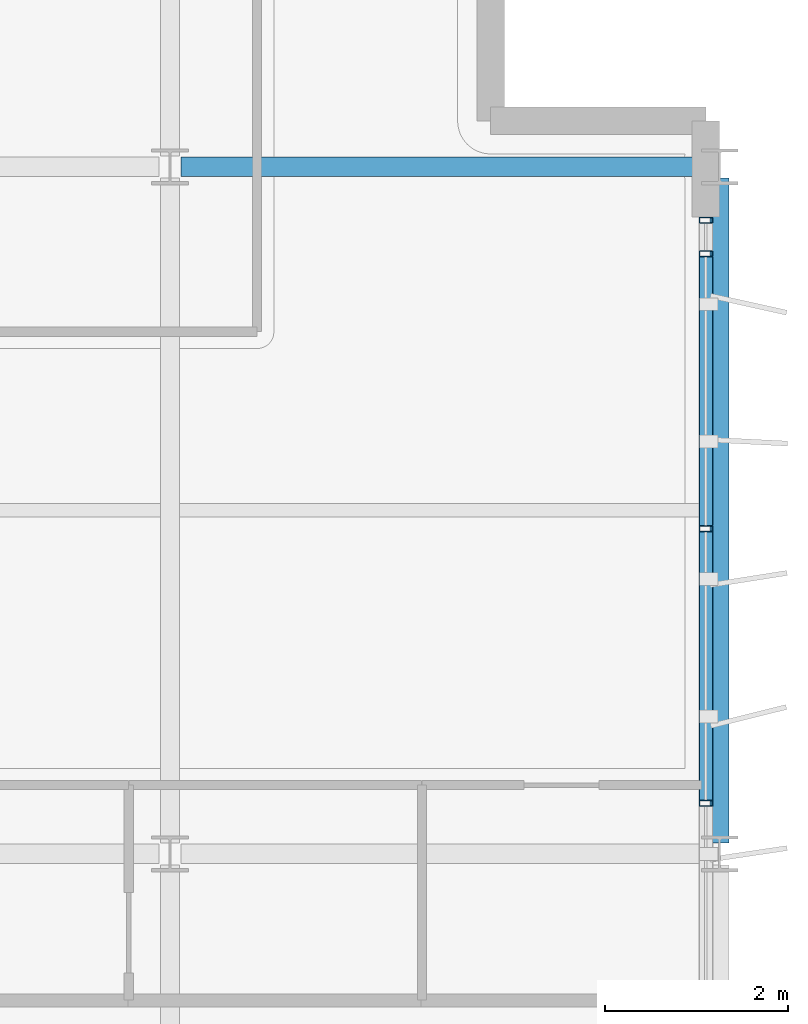
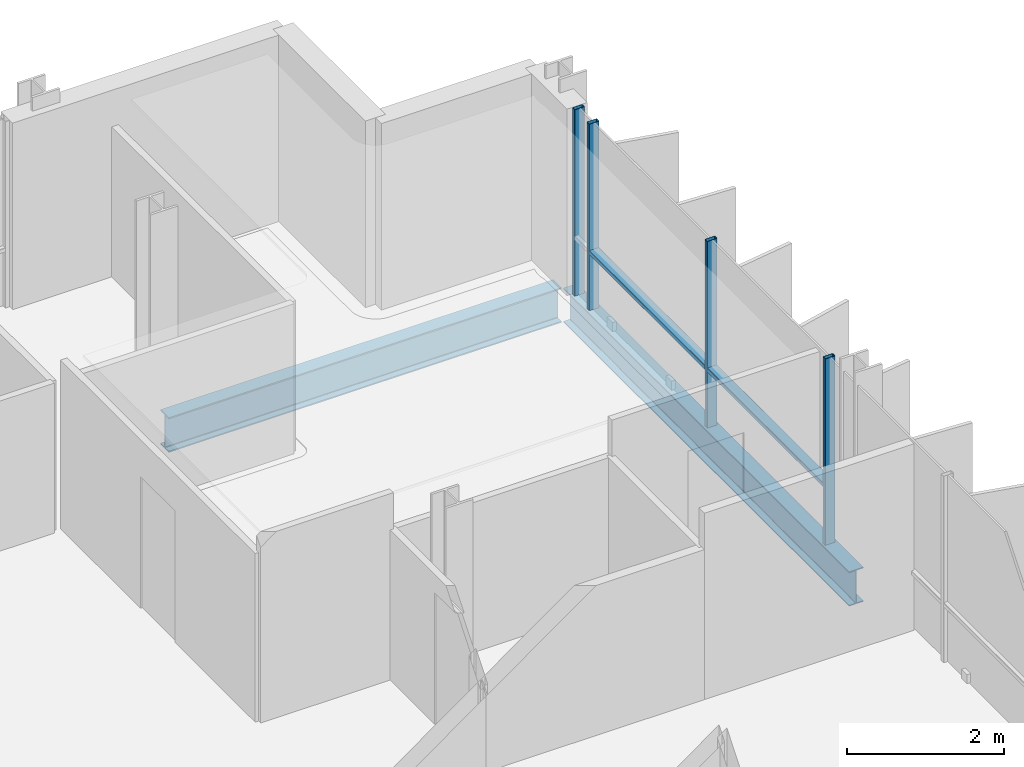
# One storey, part 22 of 38: 6 members, 2 beams, 1 element without a shape of its own.
"""IFC4 building model written with IfcOpenShell, lengths in metres."""

from ifc_helpers import new_model, si_unit, direction, frame, origin, origin_2d, place, context, subcontext, project, spatial, hollow_rectangle, i_section, extrude, material, layer, layer_set, material_profile, profile_set, type_object, element, aggregate, save


model = new_model("IFC4")

# Units and contexts
model_context = context("Model", 3, precision=1e-05, world=origin(), true_north=direction((0.0, 1.0)))
body_context = subcontext(model_context, "Body", "Model", "MODEL_VIEW")
ifc_project = project(units=[si_unit("LENGTHUNIT", "METRE"), si_unit("AREAUNIT", "SQUARE_METRE"), si_unit("VOLUMEUNIT", "CUBIC_METRE"), si_unit("PLANEANGLEUNIT", "RADIAN"), si_unit("MASSUNIT", "GRAM", prefix="KILO")], contexts=[model_context])

# Site, building, storey
site_placement = place(None, origin())
site = spatial("IfcSite", under=ifc_project, at=site_placement, CompositionType="ELEMENT")
building_placement = place(site_placement, origin())
building = spatial("IfcBuilding", under=site, at=building_placement, Name="Brevholm Reach", CompositionType="ELEMENT")
storey_placement = place(building_placement, frame((0.0, 0.0, 186.300048828125)))
storey = spatial("IfcBuildingStorey", under=building, at=storey_placement, Name="L56", CompositionType="ELEMENT", Elevation=186.300048828125)

# Beams
ifc_material_1 = material(Name="Structural Steel S355J2", Category="steel")
ifc_material_profile_1 = material_profile(ifc_material_1, i_section(OverallWidth=0.209228515625, OverallDepth=0.533203125, WebThickness=0.010009765625, FlangeThickness=0.015625, FilletRadius=0.0126953125, at=origin_2d()), Name="UKB 533x210x92")
ifc_profile_set_1 = profile_set([ifc_material_profile_1], Name="Structural Steel S355J2")
beam_type_1 = type_object("IfcBeamType", Name="BM-SP533", PredefinedType="SPANDREL", material=ifc_profile_set_1)
beam_1_placement = place(storey_placement, frame((60.0, 16.1201171875, -0.4765625), z_axis=(0.0, 1.0, 0.0), x_axis=(-1.0, 0.0, 0.0)))
element("IfcBeam", 1, at=beam_1_placement, inside=storey, type_object=beam_type_1, Name="L56 SP-02 Framing Beam", PredefinedType="SPANDREL", context=body_context, shape_type="SweptSolid", body=[
    extrude(i_section(OverallWidth=0.209228515625, OverallDepth=0.533203125, WebThickness=0.010009765625, FlangeThickness=0.015625, FilletRadius=0.0126953125, at=origin_2d()), origin(), (0.0, 0.0, 1.0), 7.259765625),
])
ifc_material_2 = material(Name="Structural Steel S355J2", Category="steel")
ifc_material_profile_2 = material_profile(ifc_material_2, i_section(OverallWidth=0.210693359375, OverallDepth=0.53955078125, WebThickness=0.01171875, FlangeThickness=0.018798828125, FilletRadius=0.0126953125, at=origin_2d()), Name="UKB 533x210x109")
ifc_profile_set_2 = profile_set([ifc_material_profile_2], Name="Structural Steel S355J2")
beam_type_2 = type_object("IfcBeamType", Name="BM-SP539", PredefinedType="SPANDREL", material=ifc_profile_set_2)
beam_2_placement = place(storey_placement, frame((54.1201171875, 23.5, -0.479736328125), z_axis=(1.0, 0.0, 0.0), x_axis=(0.0, 1.0, 0.0)))
element("IfcBeam", 2, at=beam_2_placement, inside=storey, type_object=beam_type_2, Name="L56 SP-01B Framing Beam", PredefinedType="SPANDREL", context=body_context, shape_type="SweptSolid", body=[
    extrude(i_section(OverallWidth=0.210693359375, OverallDepth=0.53955078125, WebThickness=0.01171875, FlangeThickness=0.018798828125, FilletRadius=0.0126953125, at=origin_2d()), origin(), (0.0, 0.0, 1.0), 5.759765625),
])

# Curtain wall, members
ifc_material_3 = material(Name="Dark Anodised Aluminium 6063-T6 and Solar-Control Glass", Category="aluminium")
ifc_layer = layer(ifc_material_3, 0.14990234375)
ifc_layer_set = layer_set([ifc_layer], Name="Dark Anodised Aluminium 6063-T6 and Solar-Control Glass")
curtain_wall_type = type_object("IfcCurtainWallType", Name="CW-01", PredefinedType="NOTDEFINED", material=ifc_layer_set)
curtain_wall_placement = place(storey_placement, origin())
curtain_wall = element("IfcCurtainWall", 3, at=curtain_wall_placement, inside=storey, type_object=curtain_wall_type, Name="L56 Curtain Wall CW-01", PredefinedType="NOTDEFINED")
ifc_material_4 = material(Name="Dark Anodised Aluminium 6063-T6", Category="aluminium")
ifc_material_profile_3 = material_profile(ifc_material_4, hollow_rectangle(XDim=0.06494140625, YDim=0.14990234375, WallThickness=0.0048828125, InnerFilletRadius=0.0048828125, OuterFilletRadius=0.010009765625, at=origin_2d()), Name="RHS 150x65x5")
ifc_profile_set_3 = profile_set([ifc_material_profile_3], Name="Dark Anodised Aluminium 6063-T6")
member_type_1 = type_object("IfcMemberType", Name="CWM-150", PredefinedType="MULLION", material=ifc_profile_set_3)
member_1_placement = place(storey_placement, frame((59.85009765625, 16.550048828125, 0.0), z_axis=(0.0, 0.0, 1.0), x_axis=(0.0, 1.0, 0.0)))
member_1 = element("IfcMember", 4, at=member_1_placement, type_object=member_type_1, Name="CM-150 Mullion 3", PredefinedType="MULLION", context=body_context, shape_type="SweptSolid", body=[
    extrude(hollow_rectangle(XDim=0.06494140625, YDim=0.14990234375, WallThickness=0.0048828125, InnerFilletRadius=0.0048828125, OuterFilletRadius=0.010009765625, at=origin_2d()), origin(), (0.0, 0.0, 1.0), 2.889892578125),
])
member_2_placement = place(storey_placement, frame((59.85009765625, 19.550048828125, 0.0), z_axis=(0.0, 0.0, 1.0), x_axis=(0.0, 1.0, 0.0)))
member_2 = element("IfcMember", 5, at=member_2_placement, type_object=member_type_1, Name="CM-150 Mullion 4", PredefinedType="MULLION", context=body_context, shape_type="SweptSolid", body=[
    extrude(hollow_rectangle(XDim=0.06494140625, YDim=0.14990234375, WallThickness=0.0048828125, InnerFilletRadius=0.0048828125, OuterFilletRadius=0.010009765625, at=origin_2d()), origin(), (0.0, 0.0, 1.0), 2.889892578125),
])
member_3_placement = place(storey_placement, frame((59.85009765625, 22.550048828125, 0.0), z_axis=(0.0, 0.0, 1.0), x_axis=(0.0, 1.0, 0.0)))
member_3 = element("IfcMember", 6, at=member_3_placement, type_object=member_type_1, Name="CM-150 Mullion 5", PredefinedType="MULLION", context=body_context, shape_type="SweptSolid", body=[
    extrude(hollow_rectangle(XDim=0.06494140625, YDim=0.14990234375, WallThickness=0.0048828125, InnerFilletRadius=0.0048828125, OuterFilletRadius=0.010009765625, at=origin_2d()), origin(), (0.0, 0.0, 1.0), 2.889892578125),
])
member_4_placement = place(storey_placement, frame((59.85009765625, 22.91748046875, 0.0), z_axis=(0.0, 0.0, 1.0), x_axis=(0.0, 1.0, 0.0)))
member_4 = element("IfcMember", 7, at=member_4_placement, type_object=member_type_1, Name="CM-150 Mullion 6", PredefinedType="MULLION", context=body_context, shape_type="SweptSolid", body=[
    extrude(hollow_rectangle(XDim=0.06494140625, YDim=0.14990234375, WallThickness=0.0048828125, InnerFilletRadius=0.0048828125, OuterFilletRadius=0.010009765625, at=origin_2d()), origin(), (0.0, 0.0, 1.0), 2.889892578125),
])
ifc_material_5 = material(Name="Dark Anodised Aluminium 6063-T6", Category="aluminium")
ifc_material_profile_4 = material_profile(ifc_material_5, hollow_rectangle(XDim=0.06494140625, YDim=0.14990234375, WallThickness=0.0048828125, InnerFilletRadius=0.0048828125, OuterFilletRadius=0.010009765625, at=origin_2d()), Name="RHS 150x65x5")
ifc_profile_set_4 = profile_set([ifc_material_profile_4], Name="Dark Anodised Aluminium 6063-T6")
member_type_2 = type_object("IfcMemberType", Name="CWT-150", PredefinedType="NOTDEFINED", material=ifc_profile_set_4)
member_5_placement = place(storey_placement, frame((59.85009765625, 16.58251953125, 0.89990234375), z_axis=(0.0, 1.0, 0.0), x_axis=(0.0, 0.0, 1.0)))
member_5 = element("IfcMember", 8, at=member_5_placement, type_object=member_type_2, Name="CT-150 Transom 3.1", ObjectType="TRANSOM", PredefinedType="USERDEFINED", context=body_context, shape_type="SweptSolid", body=[
    extrude(hollow_rectangle(XDim=0.06494140625, YDim=0.14990234375, WallThickness=0.0048828125, InnerFilletRadius=0.0048828125, OuterFilletRadius=0.010009765625, at=origin_2d()), origin(), (0.0, 0.0, 1.0), 2.93505859375),
])
member_6_placement = place(storey_placement, frame((59.85009765625, 19.58251953125, 0.89990234375), z_axis=(0.0, 1.0, 0.0), x_axis=(0.0, 0.0, 1.0)))
member_6 = element("IfcMember", 9, at=member_6_placement, type_object=member_type_2, Name="CT-150 Transom 4.1", ObjectType="TRANSOM", PredefinedType="USERDEFINED", context=body_context, shape_type="SweptSolid", body=[
    extrude(hollow_rectangle(XDim=0.06494140625, YDim=0.14990234375, WallThickness=0.0048828125, InnerFilletRadius=0.0048828125, OuterFilletRadius=0.010009765625, at=origin_2d()), origin(), (0.0, 0.0, 1.0), 2.93505859375),
])
aggregate(curtain_wall, [member_1, member_2, member_3, member_4, member_5, member_6])

save(model, "model.ifc")
